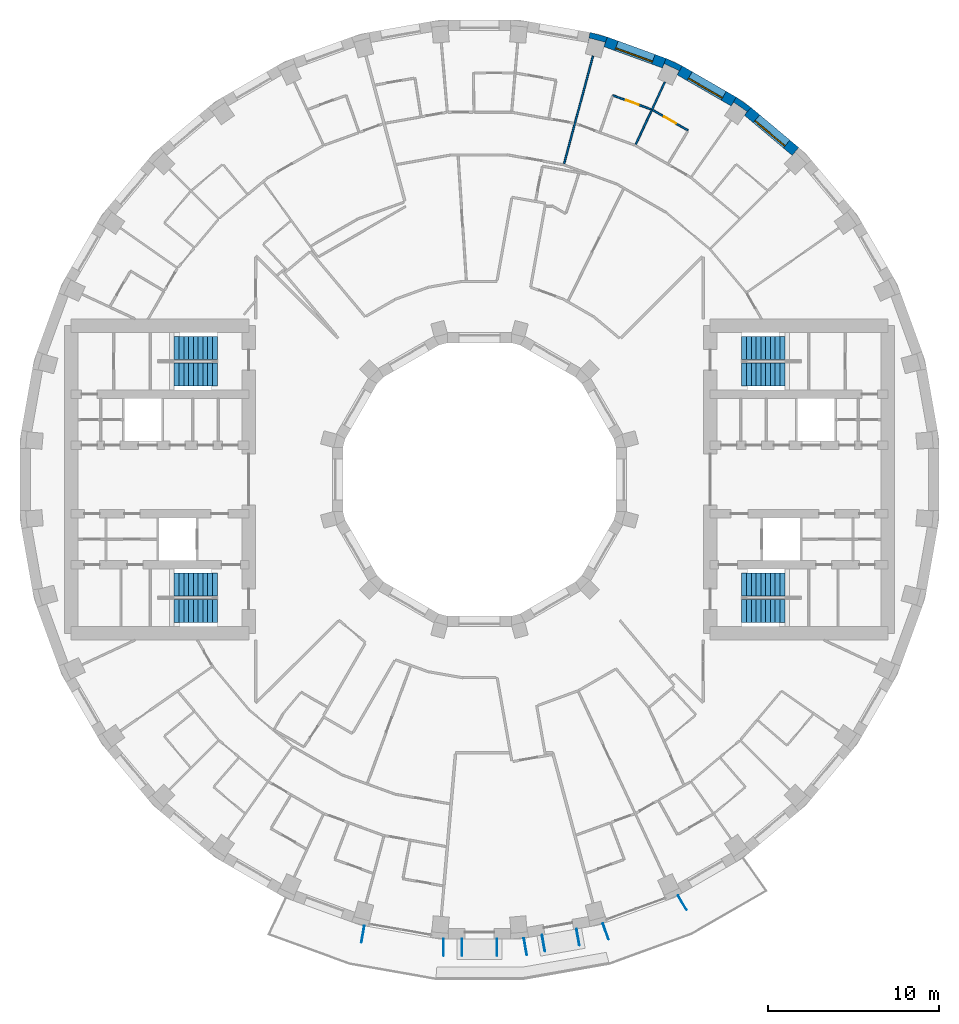
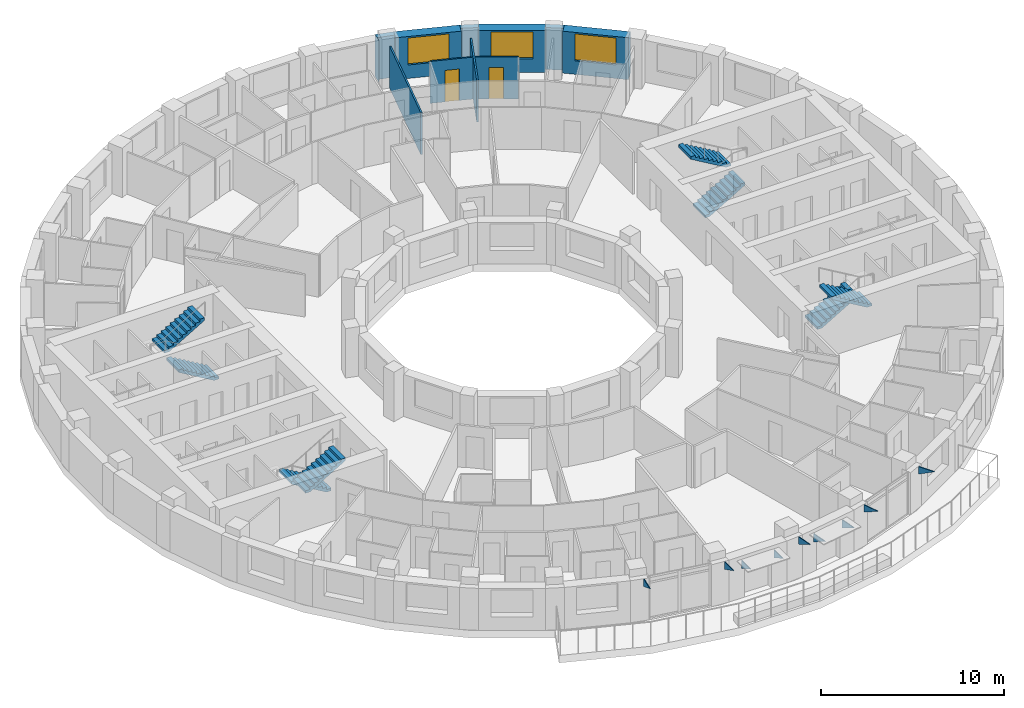
# One storey, part 15 of 16: 10 walls, 9 discrete accessories, 8 stair flights, 3 windows, 2 doors, 5 openings, 4 elements without a shape of their own.
"""IFC4 building model written with IfcOpenShell, lengths in metres."""

import ifcopenshell
import ifcopenshell.guid

model = None  # the IFC model being written
_history = None  # IfcOwnerHistory: only IFC2X3 demands one
_inside = {}  # id of a spatial element -> (the spatial element, [elements in it])
_under = {}  # id of a project, library or spatial element -> (it, [spatial elements below it])
_declared = {}  # id of a project -> (the project, [libraries it declares])
_typed = {}  # id of a type object -> (the type object, [elements of that type])
_made_of = {}  # id of a material, layer set ... -> (it, [elements and type objects made of it])


def new_model(schema):
    """Start an empty IFC model of exactly this schema.

    Asked for "IFC4X3", IfcOpenShell would pick the latest addendum, in which some entities
    have other attributes; the version numbers below select the first issue.
    IFC2X3 requires an IfcOwnerHistory on every rooted entity: one is made here for all.
    """
    global model, _history
    if schema == "IFC4X3":
        model = ifcopenshell.file(schema_version=(4, 3, 0, 0))
    else:
        model = ifcopenshell.file(schema=schema)
    _inside.clear()
    _under.clear()
    _declared.clear()
    _typed.clear()
    _made_of.clear()
    _history = None
    if model.schema == "IFC2X3":
        org = make("IfcOrganization", Name="unknown")
        user = make(
            "IfcPersonAndOrganization",
            ThePerson=make("IfcPerson", FamilyName="unknown"),
            TheOrganization=org,
        )
        app = make(
            "IfcApplication",
            ApplicationDeveloper=org,
            Version="unknown",
            ApplicationFullName="unknown",
            ApplicationIdentifier="unknown",
        )
        _history = make(
            "IfcOwnerHistory",
            OwningUser=user,
            OwningApplication=app,
            ChangeAction="ADDED",
            CreationDate=0,
        )
    return model


def make(cls, **values):
    """One entity of the class cls with the attributes given. An attribute that is None is left unset."""
    return model.create_entity(
        cls, **{name: value for name, value in values.items() if value is not None}
    )


def rooted(cls, **values):
    """An entity with a GlobalId (a new one), such as an element, a storey or a relation."""
    return make(cls, GlobalId=ifcopenshell.guid.new(), OwnerHistory=_history, **values)


def si_unit(unit_type, name, prefix=None):
    """IfcSIUnit, for example si_unit("LENGTHUNIT", "METRE", prefix="MILLI")."""
    return make("IfcSIUnit", UnitType=unit_type, Prefix=prefix, Name=name)


def assignment(units):
    """IfcUnitAssignment: the units of a project."""
    return None if units is None else make("IfcUnitAssignment", Units=units)


def point(xyz):
    """IfcCartesianPoint."""
    return None if xyz is None else make("IfcCartesianPoint", Coordinates=xyz)


def direction(xyz):
    """IfcDirection."""
    return None if xyz is None else make("IfcDirection", DirectionRatios=xyz)


def frame(location, z_axis=None, x_axis=None):
    """IfcAxis2Placement3D, a coordinate frame: its origin and axes. An axis left out is left unset."""
    return make(
        "IfcAxis2Placement3D",
        Location=point(location),
        Axis=direction(z_axis),
        RefDirection=direction(x_axis),
    )


def frame_2d(location, x_axis=None):
    """IfcAxis2Placement2D, a coordinate frame in the plane: its origin and x axis."""
    return make(
        "IfcAxis2Placement2D", Location=point(location), RefDirection=direction(x_axis)
    )


def origin():
    """The frame at (0, 0, 0) with its axes left unset."""
    return frame((0.0, 0.0, 0.0))


def place(relative_to, where):
    """IfcLocalPlacement: puts the frame where relative to a parent placement (None: the world)."""
    return make(
        "IfcLocalPlacement", PlacementRelTo=relative_to, RelativePlacement=where
    )


def context(
    kind, dimensions, precision=None, world=None, true_north=None, identifier=None
):
    """IfcGeometricRepresentationContext, for example the 3D "Model" context."""
    return make(
        "IfcGeometricRepresentationContext",
        ContextIdentifier=identifier,
        ContextType=kind,
        CoordinateSpaceDimension=dimensions,
        Precision=precision,
        WorldCoordinateSystem=world,
        TrueNorth=true_north,
    )


def subcontext(parent, identifier, kind, view, scale=None):
    """IfcGeometricRepresentationSubContext, for example "Body" below "Model"."""
    return make(
        "IfcGeometricRepresentationSubContext",
        ContextIdentifier=identifier,
        ContextType=kind,
        ParentContext=parent,
        TargetScale=scale,
        TargetView=view,
    )


def project(units=None, contexts=None):
    """IfcProject with its units and contexts."""
    return rooted(
        "IfcProject",
        Name="project",
        RepresentationContexts=contexts,
        UnitsInContext=assignment(units),
    )


def spatial(cls, under=None, at=None, **own):
    """A site, building, storey or space (cls), placed at a placement, below another one or the project."""
    s = rooted(cls, ObjectPlacement=at, **own)
    if under is not None:
        _under.setdefault(under.id(), (under, []))[1].append(s)
    return s


def polyline(points):
    """IfcPolyline through the points."""
    return make("IfcPolyline", Points=[point(p) for p in points])


def profile(cls, at=None, kind="AREA", **sizes):
    """A parametric profile (cls). Its sizes go by their IFC names, for example OverallWidth=200.0."""
    return make(cls, ProfileType=kind, Position=at, **sizes)


def rectangle(**sizes):
    """IfcRectangleProfileDef."""
    return profile("IfcRectangleProfileDef", **sizes)


def outline(outer, holes=None, kind="AREA"):
    """IfcArbitraryClosedProfileDef: a profile drawn as a closed curve; with holes, ...WithVoids."""
    if holes is None:
        return make("IfcArbitraryClosedProfileDef", ProfileType=kind, OuterCurve=outer)
    return make(
        "IfcArbitraryProfileDefWithVoids",
        ProfileType=kind,
        OuterCurve=outer,
        InnerCurves=holes,
    )


def extrude(swept, where, along, depth):
    """IfcExtrudedAreaSolid: the profile swept, set in the frame where, extruded along a direction by depth."""
    return make(
        "IfcExtrudedAreaSolid",
        SweptArea=swept,
        Position=where,
        ExtrudedDirection=direction(along),
        Depth=depth,
    )


def shape(context_of_items, identifier, shape_type, items):
    """IfcShapeRepresentation: the items that make up one representation, for example the "Body"."""
    return make(
        "IfcShapeRepresentation",
        ContextOfItems=context_of_items,
        RepresentationIdentifier=identifier,
        RepresentationType=shape_type,
        Items=items,
    )


def material(Name=None, Category=None):
    """IfcMaterial."""
    return make("IfcMaterial", Name=Name, Category=Category)


def layer(
    of_material, thickness, ventilated=None, Name=None, Category=None, Priority=None
):
    """IfcMaterialLayer: one layer of a wall or slab, of a material (None: an air gap)."""
    return make(
        "IfcMaterialLayer",
        Material=of_material,
        LayerThickness=thickness,
        IsVentilated=ventilated,
        Name=Name,
        Category=Category,
        Priority=Priority,
    )


def layer_set(layers, Name=None):
    """IfcMaterialLayerSet."""
    return make("IfcMaterialLayerSet", MaterialLayers=layers, LayerSetName=Name)


def made_of(thing, what):
    """Note that an element or type object is made of a material, layer set ...; save() writes the relation."""
    if what is not None:
        _made_of.setdefault(what.id(), (what, []))[1].append(thing)
    return thing


def type_object(cls, material=None, **own):
    """A type object (cls), such as IfcWallType, which elements share."""
    return made_of(rooted(cls, **own), material)


def element(
    cls,
    number,
    at=None,
    inside=None,
    cuts=None,
    type_object=None,
    material=None,
    context=None,
    identifier="Body",
    shape_type=None,
    held_by="IfcProductDefinitionShape",
    body=None,
    shapes=None,
    **own,
):
    """One element of the class cls, such as IfcWall. Its Tag is "e" and its number.

    at: its placement. inside: the storey or other place that contains it. cuts: it is an
    opening in that element (IfcRelVoidsElement). A single representation is given by context,
    identifier, shape_type and body (its items); several are given by shapes. held_by: the class
    of the entity that holds the representations. save() writes the other relations.
    """
    e = rooted(cls, Tag="e%d" % number, ObjectPlacement=at, **own)
    if body is not None:
        shapes = [shape(context, identifier, shape_type, body)]
    if shapes is not None:
        e.Representation = make(held_by, Representations=shapes)
    if inside is not None:
        _inside.setdefault(inside.id(), (inside, []))[1].append(e)
    if cuts is not None:
        rooted(
            "IfcRelVoidsElement", RelatingBuildingElement=cuts, RelatedOpeningElement=e
        )
    if type_object is not None:
        _typed.setdefault(type_object.id(), (type_object, []))[1].append(e)
    return made_of(e, material)


def fill(opening, filler):
    """IfcRelFillsElement: the door or window that sits in an opening."""
    return rooted(
        "IfcRelFillsElement",
        RelatingOpeningElement=opening,
        RelatedBuildingElement=filler,
    )


def aggregate(whole, parts):
    """IfcRelAggregates: a whole, such as a stair, and the parts it consists of."""
    return rooted("IfcRelAggregates", RelatingObject=whole, RelatedObjects=parts)


def save(model, path):
    """Write the relations noted so far, then the file.

    IfcRelAggregates (storeys below a building ...), IfcRelContainedInSpatialStructure (elements
    in a storey), IfcRelDefinesByType, IfcRelAssociatesMaterial and IfcRelDeclares: one each for
    every whole, place, type object, material and project.
    """
    for whole, parts in _under.values():
        aggregate(whole, parts)
    for where, things in _inside.values():
        rooted(
            "IfcRelContainedInSpatialStructure",
            RelatedElements=things,
            RelatingStructure=where,
        )
    for kind, things in _typed.values():
        rooted("IfcRelDefinesByType", RelatedObjects=things, RelatingType=kind)
    for what, things in _made_of.values():
        rooted("IfcRelAssociatesMaterial", RelatedObjects=things, RelatingMaterial=what)
    for by, libraries in _declared.values():
        rooted("IfcRelDeclares", RelatingContext=by, RelatedDefinitions=libraries)
    model.write(path)


model = new_model("IFC4")

# Units and contexts
model_context = context("Model", 3, precision=1e-05, world=origin(), true_north=direction((0.0, 1.0)))
body_context = subcontext(model_context, "Body", "Model", "MODEL_VIEW")
ifc_project = project(units=[si_unit("LENGTHUNIT", "METRE"), si_unit("AREAUNIT", "SQUARE_METRE"), si_unit("VOLUMEUNIT", "CUBIC_METRE"), si_unit("PLANEANGLEUNIT", "RADIAN"), si_unit("MASSUNIT", "GRAM", prefix="KILO")], contexts=[model_context])

# Site, building, storey
site_placement = place(None, origin())
site = spatial("IfcSite", under=ifc_project, at=site_placement, CompositionType="ELEMENT")
building_placement = place(site_placement, origin())
building = spatial("IfcBuilding", under=site, at=building_placement, Name="Saqina Gate Tower", CompositionType="ELEMENT")
storey_placement = place(building_placement, frame((0.0, 0.0, 141.39990234375)))
storey = spatial("IfcBuildingStorey", under=building, at=storey_placement, Name="L40", CompositionType="ELEMENT", Elevation=141.39990234375)

# Walls
ifc_material_1 = material(Name="Brick masonry (buff)", Category="masonry")
wall_type_1 = type_object("IfcWallType", Name="BRICK PIER COPING BUFF", PredefinedType="SOLIDWALL", material=ifc_material_1)
wall_1_placement = place(storey_placement, origin())
element("IfcWall", 1, at=wall_1_placement, inside=storey, type_object=wall_type_1, Name="Pier cap L40 column 6", PredefinedType="SOLIDWALL", context=body_context, shape_type="SweptSolid", body=[
    extrude(outline(polyline([(15.0283203125, 22.3818359375), (14.728271484375, 21.862060546875), (14.88232421875, 22.08251953125), (15.66064453125, 21.53759765625), (15.50634765625, 21.317138671875), (15.89208984375, 21.77685546875), (15.0283203125, 22.3818359375)])), origin(), (0.0, 0.0, 1.0), 2.800048828125),
])
wall_2_placement = place(storey_placement, origin())
element("IfcWall", 2, at=wall_2_placement, inside=storey, type_object=wall_type_1, Name="Pier cap L40 column 7", PredefinedType="SOLIDWALL", context=body_context, shape_type="SweptSolid", body=[
    extrude(outline(polyline([(10.913330078125, 24.6513671875), (10.7080078125, 24.08740234375), (10.82177734375, 24.331298828125), (11.6826171875, 23.9296875), (11.569091796875, 23.68603515625), (11.869140625, 24.205810546875), (10.913330078125, 24.6513671875)])), origin(), (0.0, 0.0, 1.0), 2.800048828125),
])
wall_3_placement = place(storey_placement, origin())
element("IfcWall", 3, at=wall_3_placement, inside=storey, type_object=wall_type_1, Name="Pier cap L40 column 8", PredefinedType="SOLIDWALL", context=body_context, shape_type="SweptSolid", body=[
    extrude(outline(polyline([(7.485595703125, 25.89892578125), (6.466796875, 26.171875), (6.36279296875, 25.5810546875), (6.43212890625, 25.8408203125), (7.349853515625, 25.5947265625), (7.2802734375, 25.335205078125), (7.485595703125, 25.89892578125)])), origin(), (0.0, 0.0, 1.0), 2.800048828125),
])

# Wall, opening, window
ifc_material_2 = material(Name="Brick masonry (buff)", Category="masonry")
ifc_layer_1 = layer(ifc_material_2, 0.60009765625)
ifc_layer_set_1 = layer_set([ifc_layer_1], Name="FW-BRICK-BUFF")
wall_type_2 = type_object("IfcWallType", Name="FW-BRICK-BUFF", PredefinedType="SOLIDWALL", material=ifc_layer_set_1)
wall_4_placement = place(storey_placement, frame((18.49365234375, 19.202392578125, 0.0), z_axis=(0.0, 0.0, 1.0), x_axis=(-0.766055462616, 0.642774476932, 0.0)))
wall_4 = element("IfcWall", 4, at=wall_4_placement, inside=storey, type_object=wall_type_2, Name="Facade wall L40 facet 5", PredefinedType="SOLIDWALL", context=body_context, shape_type="SweptSolid", body=[
    extrude(rectangle(XDim=3.647705078125, YDim=0.60009765625, at=frame_2d((1.82373046875, 0.0))), origin(), (0.0, 0.0, 1.0), 2.800048828125),
])
opening_1_placement = place(wall_4_placement, frame((0.673828125, 0.0, 0.89990234375)))
opening_1 = element("IfcOpeningElement", 5, at=opening_1_placement, cuts=wall_4, Name="Opening G12-W03", PredefinedType="OPENING", context=body_context, shape_type="SweptSolid", body=[
    extrude(rectangle(XDim=2.300048828125, YDim=1.800048828125, at=frame_2d((1.14990234375, 0.89990234375))), frame((0.0, 0.31201171875, 0.0), z_axis=(0.0, -1.0, 0.0), x_axis=(1.0, 0.0, 0.0)), (0.0, 0.0, 1.0), 0.6240234375),
])
ifc_material_3 = material(Name="Aluminium glazing", Category="aluminium")
window_type = type_object("IfcWindowType", Name="WN-B", PartitioningType="SINGLE_PANEL", PredefinedType="WINDOW", material=ifc_material_3)
window_1_placement = place(opening_1_placement, origin())
window_1 = element("IfcWindow", 6, at=window_1_placement, inside=storey, type_object=window_type, Name="Window L40 facet 5", OverallHeight=1.800048828125, OverallWidth=2.300048828125, PartitioningType="SINGLE_PANEL", PredefinedType="WINDOW", context=body_context, shape_type="SweptSolid", body=[
    extrude(rectangle(XDim=2.300048828125, YDim=1.800048828125, at=frame_2d((1.14990234375, 0.89990234375))), frame((0.0, 0.179931640625, 0.0), z_axis=(0.0, -1.0, 0.0), x_axis=(1.0, 0.0, 0.0)), (0.0, 0.0, 1.0), 0.06005859375),
])
fill(opening_1, window_1)

wall_5_placement = place(storey_placement, frame((14.878173828125, 22.1220703125, 0.0), z_axis=(0.0, 0.0, 1.0), x_axis=(-0.866051847062, 0.499954196102, 0.0)))
wall_5 = element("IfcWall", 7, at=wall_5_placement, inside=storey, type_object=wall_type_2, Name="Facade wall L40 facet 6", PredefinedType="SOLIDWALL", context=body_context, shape_type="SweptSolid", body=[
    extrude(rectangle(XDim=3.647705078125, YDim=0.60009765625, at=frame_2d((1.82373046875, 0.0))), origin(), (0.0, 0.0, 1.0), 2.800048828125),
])
opening_2_placement = place(wall_5_placement, frame((0.673828125, 0.0, 0.89990234375)))
opening_2 = element("IfcOpeningElement", 8, at=opening_2_placement, cuts=wall_5, Name="Opening G12-W04", PredefinedType="OPENING", context=body_context, shape_type="SweptSolid", body=[
    extrude(rectangle(XDim=2.300048828125, YDim=1.800048828125, at=frame_2d((1.14990234375, 0.89990234375))), frame((0.0, 0.31201171875, 0.0), z_axis=(0.0, -1.0, 0.0), x_axis=(1.0, 0.0, 0.0)), (0.0, 0.0, 1.0), 0.6240234375),
])
window_2_placement = place(opening_2_placement, origin())
window_2 = element("IfcWindow", 9, at=window_2_placement, inside=storey, type_object=window_type, Name="Window L40 facet 6", OverallHeight=1.800048828125, OverallWidth=2.300048828125, PartitioningType="SINGLE_PANEL", PredefinedType="WINDOW", context=body_context, shape_type="SweptSolid", body=[
    extrude(rectangle(XDim=2.300048828125, YDim=1.800048828125, at=frame_2d((1.14990234375, 0.89990234375))), frame((0.0, 0.179931640625, 0.0), z_axis=(0.0, -1.0, 0.0), x_axis=(1.0, 0.0, 0.0)), (0.0, 0.0, 1.0), 0.06005859375),
])
fill(opening_2, window_2)

wall_6_placement = place(storey_placement, frame((10.810791015625, 24.369384765625, 0.0), z_axis=(0.0, 0.0, 1.0), x_axis=(-0.939703505393, 0.341990236633, 0.0)))
wall_6 = element("IfcWall", 10, at=wall_6_placement, inside=storey, type_object=wall_type_2, Name="Facade wall L40 facet 7", PredefinedType="SOLIDWALL", context=body_context, shape_type="SweptSolid", body=[
    extrude(rectangle(XDim=3.64794921875, YDim=0.60009765625, at=frame_2d((1.823974609375, 0.0))), origin(), (0.0, 0.0, 1.0), 2.800048828125),
])
opening_3_placement = place(wall_6_placement, frame((0.673828125, 0.0, 0.89990234375)))
opening_3 = element("IfcOpeningElement", 11, at=opening_3_placement, cuts=wall_6, Name="Opening G12-W05", PredefinedType="OPENING", context=body_context, shape_type="SweptSolid", body=[
    extrude(rectangle(XDim=2.300048828125, YDim=1.800048828125, at=frame_2d((1.14990234375, 0.89990234375))), frame((0.0, 0.31201171875, 0.0), z_axis=(0.0, -1.0, 0.0), x_axis=(1.0, 0.0, 0.0)), (0.0, 0.0, 1.0), 0.6240234375),
])
window_3_placement = place(opening_3_placement, origin())
window_3 = element("IfcWindow", 12, at=window_3_placement, inside=storey, type_object=window_type, Name="Window L40 facet 7", OverallHeight=1.800048828125, OverallWidth=2.300048828125, PartitioningType="SINGLE_PANEL", PredefinedType="WINDOW", context=body_context, shape_type="SweptSolid", body=[
    extrude(rectangle(XDim=2.300048828125, YDim=1.800048828125, at=frame_2d((1.14990234375, 0.89990234375))), frame((0.0, 0.179931640625, 0.0), z_axis=(0.0, -1.0, 0.0), x_axis=(1.0, 0.0, 0.0)), (0.0, 0.0, 1.0), 0.06005859375),
])
fill(opening_3, window_3)

# Wall, opening, door
ifc_material_4 = material(Name="Gypsum board on steel studs, 100 mm", Category="steel")
ifc_layer_2 = layer(ifc_material_4, 0.10009765625)
ifc_layer_set_2 = layer_set([ifc_layer_2], Name="PARTITION 100")
wall_type_3 = type_object("IfcWallType", Name="PARTITION 100", PredefinedType="PARTITIONING", material=ifc_layer_set_2)
wall_7_placement = place(storey_placement, frame((10.139404296875, 21.625, 0.0), z_axis=(0.0, 0.0, 1.0), x_axis=(0.865989934965, -0.500061428766, 0.0)))
wall_7 = element("IfcWall", 13, at=wall_7_placement, inside=storey, type_object=wall_type_3, Name="PARTITION PW3-44", PredefinedType="PARTITIONING", context=body_context, shape_type="SweptSolid", body=[
    extrude(rectangle(XDim=2.389892578125, YDim=0.10009765625, at=frame_2d((1.19482421875, 0.0))), origin(), (0.0, 0.0, 1.0), 2.800048828125),
])
opening_4_placement = place(wall_7_placement, frame((0.77001953125, 0.0, 0.0)))
opening_4 = element("IfcOpeningElement", 14, at=opening_4_placement, cuts=wall_7, Name="Opening G12-D07", PredefinedType="OPENING", context=body_context, shape_type="SweptSolid", body=[
    extrude(rectangle(XDim=0.800048828125, YDim=2.10009765625, at=frame_2d((0.39990234375, 1.050048828125))), frame((0.0, 0.06201171875, 0.0), z_axis=(0.0, -1.0, 0.0), x_axis=(1.0, 0.0, 0.0)), (0.0, 0.0, 1.0), 0.1240234375),
])
ifc_material_5 = material(Name="Timber door leaf, 800 mm", Category="wood")
door_type = type_object("IfcDoorType", Name="DOOR 800 TIMBER", OperationType="SINGLE_SWING_LEFT", PredefinedType="DOOR", material=ifc_material_5)
door_1_placement = place(opening_4_placement, origin())
door_1 = element("IfcDoor", 15, at=door_1_placement, inside=storey, type_object=door_type, Name="DOOR G12-D07", OperationType="SINGLE_SWING_LEFT", OverallHeight=2.10009765625, OverallWidth=0.800048828125, PredefinedType="DOOR", context=body_context, shape_type="SweptSolid", body=[
    extrude(rectangle(XDim=0.800048828125, YDim=2.10009765625, at=frame_2d((0.39990234375, 1.050048828125))), frame((0.0, 0.02490234375, 0.0), z_axis=(0.0, -1.0, 0.0), x_axis=(1.0, 0.0, 0.0)), (0.0, 0.0, 1.0), 0.050048828125),
])
fill(opening_4, door_1)

wall_8_placement = place(storey_placement, frame((7.802001953125, 22.485107421875, 0.0), z_axis=(0.0, 0.0, 1.0), x_axis=(0.939659214987, -0.342111911063, 0.0)))
wall_8 = element("IfcWall", 16, at=wall_8_placement, inside=storey, type_object=wall_type_3, Name="PARTITION PW3-52", PredefinedType="PARTITIONING", context=body_context, shape_type="SweptSolid", body=[
    extrude(rectangle(XDim=2.391357421875, YDim=0.10009765625, at=frame_2d((1.19580078125, 0.0))), origin(), (0.0, 0.0, 1.0), 2.800048828125),
])
opening_5_placement = place(wall_8_placement, frame((0.820556640625, 0.0, 0.0)))
opening_5 = element("IfcOpeningElement", 17, at=opening_5_placement, cuts=wall_8, Name="Opening G12-D09", PredefinedType="OPENING", context=body_context, shape_type="SweptSolid", body=[
    extrude(rectangle(XDim=0.800048828125, YDim=2.10009765625, at=frame_2d((0.39990234375, 1.050048828125))), frame((0.0, 0.06201171875, 0.0), z_axis=(0.0, -1.0, 0.0), x_axis=(1.0, 0.0, 0.0)), (0.0, 0.0, 1.0), 0.1240234375),
])
door_2_placement = place(opening_5_placement, origin())
door_2 = element("IfcDoor", 18, at=door_2_placement, inside=storey, type_object=door_type, Name="DOOR G12-D09", OperationType="SINGLE_SWING_RIGHT", OverallHeight=2.10009765625, OverallWidth=0.800048828125, PredefinedType="DOOR", context=body_context, shape_type="SweptSolid", body=[
    extrude(rectangle(XDim=0.800048828125, YDim=2.10009765625, at=frame_2d((0.39990234375, 1.050048828125))), frame((0.0, 0.02490234375, 0.0), z_axis=(0.0, -1.0, 0.0), x_axis=(1.0, 0.0, 0.0)), (0.0, 0.0, 1.0), 0.050048828125),
])
fill(opening_5, door_2)

# Walls
wall_9_placement = place(storey_placement, frame((9.14111328125, 19.603271484375, 0.0), z_axis=(0.0, 0.0, 1.0), x_axis=(0.42279934512, 0.906223324444, 0.0)))
element("IfcWall", 19, at=wall_9_placement, inside=storey, type_object=wall_type_3, Name="PARTITION PW3-107", PredefinedType="PARTITIONING", context=body_context, shape_type="SweptSolid", body=[
    extrude(rectangle(XDim=4.03515625, YDim=0.10009765625, at=frame_2d((2.017578125, 0.0))), origin(), (0.0, 0.0, 1.0), 2.800048828125),
])
wall_10_placement = place(storey_placement, frame((4.94873046875, 18.46923828125, 0.0), z_axis=(0.0, 0.0, 1.0), x_axis=(0.258793270627, 0.96593273217, 0.0)))
element("IfcWall", 20, at=wall_10_placement, inside=storey, type_object=wall_type_3, Name="PARTITION PW3-113", PredefinedType="PARTITIONING", context=body_context, shape_type="SweptSolid", body=[
    extrude(rectangle(XDim=6.544189453125, YDim=0.10009765625, at=frame_2d((3.27197265625, 0.0))), origin(), (0.0, 0.0, 1.0), 2.800048828125),
])

# Stair, stair flights
ifc_material_6 = material(Name="Concrete C40/50", Category="concrete")
stair_type = type_object("IfcStairType", Name="EXIT STAIR", PredefinedType="HALF_TURN_STAIR", material=ifc_material_6)
stair_1_placement = place(storey_placement, origin())
stair_1 = element("IfcStair", 21, at=stair_1_placement, inside=storey, type_object=stair_type, Name="EXIT STAIR 1", PredefinedType="HALF_TURN_STAIR")
ifc_material_7 = material(Name="Concrete C40/50", Category="concrete")
stair_flight_type = type_object("IfcStairFlightType", Name="EXIT STAIR FLIGHT", PredefinedType="STRAIGHT", material=ifc_material_7)
stair_flight_1_placement = place(storey_placement, frame((15.35009765625, 6.1416015625, 0.0), z_axis=(0.0, 0.0, 1.0), x_axis=(1.0, 0.0, 0.0)))
stair_flight_1 = element("IfcStairFlight", 22, at=stair_flight_1_placement, type_object=stair_flight_type, Name="EXIT STAIR 1 FLIGHT 1", NumberOfRisers=10, NumberOfTreads=9, PredefinedType="STRAIGHT", RiserHeight=0.165, TreadLength=0.28, context=body_context, shape_type="SweptSolid", body=[
    extrude(outline(polyline([(0.0, 0.0), (0.0, 0.1650390625), (0.280029296875, 0.1650390625), (0.280029296875, 0.330078125), (0.56005859375, 0.330078125), (0.56005859375, 0.4951171875), (0.840087890625, 0.4951171875), (0.840087890625, 0.659912109375), (1.1201171875, 0.659912109375), (1.1201171875, 0.824951171875), (1.39990234375, 0.824951171875), (1.39990234375, 0.989990234375), (1.679931640625, 0.989990234375), (1.679931640625, 1.155029296875), (1.9599609375, 1.155029296875), (1.9599609375, 1.320068359375), (2.239990234375, 1.320068359375), (2.239990234375, 1.485107421875), (2.52001953125, 1.485107421875), (2.52001953125, 1.64990234375), (2.52001953125, 1.31103515625), (0.295166015625, 0.0), (0.0, 0.0)])), frame((0.0, 0.675048828125, 0.0), z_axis=(0.0, -1.0, 0.0), x_axis=(1.0, 0.0, 0.0)), (0.0, 0.0, 1.0), 1.35009765625),
])
stair_flight_2_placement = place(storey_placement, frame((17.8701171875, 7.708251953125, 1.650146484375), z_axis=(0.0, 0.0, 1.0), x_axis=(-1.0, 0.0, 0.0)))
stair_flight_2 = element("IfcStairFlight", 23, at=stair_flight_2_placement, type_object=stair_flight_type, Name="EXIT STAIR 1 FLIGHT 2", NumberOfRisers=10, NumberOfTreads=9, PredefinedType="STRAIGHT", RiserHeight=0.165, TreadLength=0.28, context=body_context, shape_type="SweptSolid", body=[
    extrude(outline(polyline([(0.0, 0.0), (0.0, 0.1650390625), (0.280029296875, 0.1650390625), (0.280029296875, 0.330078125), (0.56005859375, 0.330078125), (0.56005859375, 0.4951171875), (0.840087890625, 0.4951171875), (0.840087890625, 0.659912109375), (1.1201171875, 0.659912109375), (1.1201171875, 0.824951171875), (1.39990234375, 0.824951171875), (1.39990234375, 0.989990234375), (1.679931640625, 0.989990234375), (1.679931640625, 1.155029296875), (1.9599609375, 1.155029296875), (1.9599609375, 1.320068359375), (2.239990234375, 1.320068359375), (2.239990234375, 1.485107421875), (2.52001953125, 1.485107421875), (2.52001953125, 1.64990234375), (2.52001953125, 1.31103515625), (0.295166015625, 0.0), (0.0, 0.0)])), frame((0.0, 0.675048828125, 0.0), z_axis=(0.0, -1.0, 0.0), x_axis=(1.0, 0.0, 0.0)), (0.0, 0.0, 1.0), 1.35009765625),
])
aggregate(stair_1, [stair_flight_1, stair_flight_2])

stair_2_placement = place(storey_placement, origin())
stair_2 = element("IfcStair", 24, at=stair_2_placement, inside=storey, type_object=stair_type, Name="EXIT STAIR 2", PredefinedType="HALF_TURN_STAIR")
stair_flight_3_placement = place(storey_placement, frame((15.35009765625, -6.1416015625, 0.0), z_axis=(0.0, 0.0, 1.0), x_axis=(1.0, 0.0, 0.0)))
stair_flight_3 = element("IfcStairFlight", 25, at=stair_flight_3_placement, type_object=stair_flight_type, Name="EXIT STAIR 2 FLIGHT 1", NumberOfRisers=10, NumberOfTreads=9, PredefinedType="STRAIGHT", RiserHeight=0.165, TreadLength=0.28, context=body_context, shape_type="SweptSolid", body=[
    extrude(outline(polyline([(0.0, 0.0), (0.0, 0.1650390625), (0.280029296875, 0.1650390625), (0.280029296875, 0.330078125), (0.56005859375, 0.330078125), (0.56005859375, 0.4951171875), (0.840087890625, 0.4951171875), (0.840087890625, 0.659912109375), (1.1201171875, 0.659912109375), (1.1201171875, 0.824951171875), (1.39990234375, 0.824951171875), (1.39990234375, 0.989990234375), (1.679931640625, 0.989990234375), (1.679931640625, 1.155029296875), (1.9599609375, 1.155029296875), (1.9599609375, 1.320068359375), (2.239990234375, 1.320068359375), (2.239990234375, 1.485107421875), (2.52001953125, 1.485107421875), (2.52001953125, 1.64990234375), (2.52001953125, 1.31103515625), (0.295166015625, 0.0), (0.0, 0.0)])), frame((0.0, 0.675048828125, 0.0), z_axis=(0.0, -1.0, 0.0), x_axis=(1.0, 0.0, 0.0)), (0.0, 0.0, 1.0), 1.35009765625),
])
stair_flight_4_placement = place(storey_placement, frame((17.8701171875, -7.708251953125, 1.650146484375), z_axis=(0.0, 0.0, 1.0), x_axis=(-1.0, 0.0, 0.0)))
stair_flight_4 = element("IfcStairFlight", 26, at=stair_flight_4_placement, type_object=stair_flight_type, Name="EXIT STAIR 2 FLIGHT 2", NumberOfRisers=10, NumberOfTreads=9, PredefinedType="STRAIGHT", RiserHeight=0.165, TreadLength=0.28, context=body_context, shape_type="SweptSolid", body=[
    extrude(outline(polyline([(0.0, 0.0), (0.0, 0.1650390625), (0.280029296875, 0.1650390625), (0.280029296875, 0.330078125), (0.56005859375, 0.330078125), (0.56005859375, 0.4951171875), (0.840087890625, 0.4951171875), (0.840087890625, 0.659912109375), (1.1201171875, 0.659912109375), (1.1201171875, 0.824951171875), (1.39990234375, 0.824951171875), (1.39990234375, 0.989990234375), (1.679931640625, 0.989990234375), (1.679931640625, 1.155029296875), (1.9599609375, 1.155029296875), (1.9599609375, 1.320068359375), (2.239990234375, 1.320068359375), (2.239990234375, 1.485107421875), (2.52001953125, 1.485107421875), (2.52001953125, 1.64990234375), (2.52001953125, 1.31103515625), (0.295166015625, 0.0), (0.0, 0.0)])), frame((0.0, 0.675048828125, 0.0), z_axis=(0.0, -1.0, 0.0), x_axis=(1.0, 0.0, 0.0)), (0.0, 0.0, 1.0), 1.35009765625),
])
aggregate(stair_2, [stair_flight_3, stair_flight_4])

stair_3_placement = place(storey_placement, origin())
stair_3 = element("IfcStair", 27, at=stair_3_placement, inside=storey, type_object=stair_type, Name="EXIT STAIR 3", PredefinedType="HALF_TURN_STAIR")
stair_flight_5_placement = place(storey_placement, frame((-15.35009765625, 6.1416015625, 0.0), z_axis=(0.0, 0.0, 1.0), x_axis=(-1.0, 0.0, 0.0)))
stair_flight_5 = element("IfcStairFlight", 28, at=stair_flight_5_placement, type_object=stair_flight_type, Name="EXIT STAIR 3 FLIGHT 1", NumberOfRisers=10, NumberOfTreads=9, PredefinedType="STRAIGHT", RiserHeight=0.165, TreadLength=0.28, context=body_context, shape_type="SweptSolid", body=[
    extrude(outline(polyline([(0.0, 0.0), (0.0, 0.1650390625), (0.280029296875, 0.1650390625), (0.280029296875, 0.330078125), (0.56005859375, 0.330078125), (0.56005859375, 0.4951171875), (0.840087890625, 0.4951171875), (0.840087890625, 0.659912109375), (1.1201171875, 0.659912109375), (1.1201171875, 0.824951171875), (1.39990234375, 0.824951171875), (1.39990234375, 0.989990234375), (1.679931640625, 0.989990234375), (1.679931640625, 1.155029296875), (1.9599609375, 1.155029296875), (1.9599609375, 1.320068359375), (2.239990234375, 1.320068359375), (2.239990234375, 1.485107421875), (2.52001953125, 1.485107421875), (2.52001953125, 1.64990234375), (2.52001953125, 1.31103515625), (0.295166015625, 0.0), (0.0, 0.0)])), frame((0.0, 0.675048828125, 0.0), z_axis=(0.0, -1.0, 0.0), x_axis=(1.0, 0.0, 0.0)), (0.0, 0.0, 1.0), 1.35009765625),
])
stair_flight_6_placement = place(storey_placement, frame((-17.8701171875, 7.708251953125, 1.650146484375), z_axis=(0.0, 0.0, 1.0), x_axis=(1.0, 0.0, 0.0)))
stair_flight_6 = element("IfcStairFlight", 29, at=stair_flight_6_placement, type_object=stair_flight_type, Name="EXIT STAIR 3 FLIGHT 2", NumberOfRisers=10, NumberOfTreads=9, PredefinedType="STRAIGHT", RiserHeight=0.165, TreadLength=0.28, context=body_context, shape_type="SweptSolid", body=[
    extrude(outline(polyline([(0.0, 0.0), (0.0, 0.1650390625), (0.280029296875, 0.1650390625), (0.280029296875, 0.330078125), (0.56005859375, 0.330078125), (0.56005859375, 0.4951171875), (0.840087890625, 0.4951171875), (0.840087890625, 0.659912109375), (1.1201171875, 0.659912109375), (1.1201171875, 0.824951171875), (1.39990234375, 0.824951171875), (1.39990234375, 0.989990234375), (1.679931640625, 0.989990234375), (1.679931640625, 1.155029296875), (1.9599609375, 1.155029296875), (1.9599609375, 1.320068359375), (2.239990234375, 1.320068359375), (2.239990234375, 1.485107421875), (2.52001953125, 1.485107421875), (2.52001953125, 1.64990234375), (2.52001953125, 1.31103515625), (0.295166015625, 0.0), (0.0, 0.0)])), frame((0.0, 0.675048828125, 0.0), z_axis=(0.0, -1.0, 0.0), x_axis=(1.0, 0.0, 0.0)), (0.0, 0.0, 1.0), 1.35009765625),
])
aggregate(stair_3, [stair_flight_5, stair_flight_6])

stair_4_placement = place(storey_placement, origin())
stair_4 = element("IfcStair", 30, at=stair_4_placement, inside=storey, type_object=stair_type, Name="EXIT STAIR 4", PredefinedType="HALF_TURN_STAIR")
stair_flight_7_placement = place(storey_placement, frame((-15.35009765625, -6.1416015625, 0.0), z_axis=(0.0, 0.0, 1.0), x_axis=(-1.0, 0.0, 0.0)))
stair_flight_7 = element("IfcStairFlight", 31, at=stair_flight_7_placement, type_object=stair_flight_type, Name="EXIT STAIR 4 FLIGHT 1", NumberOfRisers=10, NumberOfTreads=9, PredefinedType="STRAIGHT", RiserHeight=0.165, TreadLength=0.28, context=body_context, shape_type="SweptSolid", body=[
    extrude(outline(polyline([(0.0, 0.0), (0.0, 0.1650390625), (0.280029296875, 0.1650390625), (0.280029296875, 0.330078125), (0.56005859375, 0.330078125), (0.56005859375, 0.4951171875), (0.840087890625, 0.4951171875), (0.840087890625, 0.659912109375), (1.1201171875, 0.659912109375), (1.1201171875, 0.824951171875), (1.39990234375, 0.824951171875), (1.39990234375, 0.989990234375), (1.679931640625, 0.989990234375), (1.679931640625, 1.155029296875), (1.9599609375, 1.155029296875), (1.9599609375, 1.320068359375), (2.239990234375, 1.320068359375), (2.239990234375, 1.485107421875), (2.52001953125, 1.485107421875), (2.52001953125, 1.64990234375), (2.52001953125, 1.31103515625), (0.295166015625, 0.0), (0.0, 0.0)])), frame((0.0, 0.675048828125, 0.0), z_axis=(0.0, -1.0, 0.0), x_axis=(1.0, 0.0, 0.0)), (0.0, 0.0, 1.0), 1.35009765625),
])
stair_flight_8_placement = place(storey_placement, frame((-17.8701171875, -7.708251953125, 1.650146484375), z_axis=(0.0, 0.0, 1.0), x_axis=(1.0, 0.0, 0.0)))
stair_flight_8 = element("IfcStairFlight", 32, at=stair_flight_8_placement, type_object=stair_flight_type, Name="EXIT STAIR 4 FLIGHT 2", NumberOfRisers=10, NumberOfTreads=9, PredefinedType="STRAIGHT", RiserHeight=0.165, TreadLength=0.28, context=body_context, shape_type="SweptSolid", body=[
    extrude(outline(polyline([(0.0, 0.0), (0.0, 0.1650390625), (0.280029296875, 0.1650390625), (0.280029296875, 0.330078125), (0.56005859375, 0.330078125), (0.56005859375, 0.4951171875), (0.840087890625, 0.4951171875), (0.840087890625, 0.659912109375), (1.1201171875, 0.659912109375), (1.1201171875, 0.824951171875), (1.39990234375, 0.824951171875), (1.39990234375, 0.989990234375), (1.679931640625, 0.989990234375), (1.679931640625, 1.155029296875), (1.9599609375, 1.155029296875), (1.9599609375, 1.320068359375), (2.239990234375, 1.320068359375), (2.239990234375, 1.485107421875), (2.52001953125, 1.485107421875), (2.52001953125, 1.64990234375), (2.52001953125, 1.31103515625), (0.295166015625, 0.0), (0.0, 0.0)])), frame((0.0, 0.675048828125, 0.0), z_axis=(0.0, -1.0, 0.0), x_axis=(1.0, 0.0, 0.0)), (0.0, 0.0, 1.0), 1.35009765625),
])
aggregate(stair_4, [stair_flight_7, stair_flight_8])

# Discrete accessories
ifc_material_8 = material(Name="Galvanised steel", Category="steel")
ifc_layer_3 = layer(ifc_material_8, 0.050048828125)
ifc_layer_set_3 = layer_set([ifc_layer_3], Name="BR-AWNING")
discrete_accessory_type_1 = type_object("IfcDiscreteAccessoryType", Name="BR-AWNING", PredefinedType="BRACKET", material=ifc_layer_set_3)
for number, where, z_axis, x_axis, name in (
    (33, (-0.998779296875, -26.897216796875, 1.97509765625), (1.0, 0.0, 0.0), (0.0, 0.0, 1.0), "Awning bracket L40 facet 27"),
    (34, (1.048828125, -26.897216796875, 1.97509765625), (1.0, 0.0, 0.0), (0.0, 0.0, 1.0), "Awning bracket L40 facet 27"),
):
    element("IfcDiscreteAccessory", number, at=place(storey_placement, frame(where, z_axis=z_axis, x_axis=x_axis)), inside=storey, type_object=discrete_accessory_type_1, Name=name, PredefinedType="BRACKET", context=body_context, shape_type="SweptSolid", body=[
        extrude(outline(polyline([(0.0, 0.0), (0.550048828125, 0.0), (0.550048828125, 1.0), (0.0, 0.0)])), origin(), (0.0, 0.0, -1.0), 0.050048828125),
    ])
for number, where, z_axis, x_axis, name in (
    (35, (3.68701171875, -26.662109375, 1.97509765625), (0.984820401928, 0.173576426815, 0.0), (0.0, 0.0, 1.0), "Awning bracket L40 facet 28"),
    (36, (5.70361328125, -26.306396484375, 1.97509765625), (0.984820401928, 0.173576426815, 0.0), (0.0, 0.0, 1.0), "Awning bracket L40 facet 28"),
):
    element("IfcDiscreteAccessory", number, at=place(storey_placement, frame(where, z_axis=z_axis, x_axis=x_axis)), inside=storey, type_object=discrete_accessory_type_1, Name=name, PredefinedType="BRACKET", context=body_context, shape_type="SweptSolid", body=[
        extrude(outline(polyline([(0.0, 0.0), (0.550048828125, 0.0), (0.550048828125, 1.000043540245132), (0.0, 0.0)])), origin(), (0.0, 0.0, -1.0), 0.050048828125),
    ])
ifc_material_9 = material(Name="Galvanised steel", Category="steel")
ifc_layer_4 = layer(ifc_material_9, 0.050048828125)
ifc_layer_set_4 = layer_set([ifc_layer_4], Name="BR-GUSSET")
discrete_accessory_type_2 = type_object("IfcDiscreteAccessoryType", Name="BR-GUSSET", PredefinedType="BRACKET", material=ifc_layer_set_4)
discrete_accessory_1_placement = place(storey_placement, frame((-6.71728515625, -26.127685546875, 2.300048828125), z_axis=(0.984820401928, -0.173576426815, 0.0), x_axis=(0.0, 0.0, 1.0)))
element("IfcDiscreteAccessory", 37, at=discrete_accessory_1_placement, inside=storey, type_object=discrete_accessory_type_2, Name="Terrace slab bracket L41 1", PredefinedType="BRACKET", context=body_context, shape_type="SweptSolid", body=[
    extrude(outline(polyline([(0.0, 0.0), (0.5, 0.0), (0.5, 1.000043540245132), (0.0, 0.0)])), origin(), (0.0, 0.0, -1.0), 0.050048828125),
])
discrete_accessory_2_placement = place(storey_placement, frame((-2.078125, -26.897216796875, 2.300048828125), z_axis=(1.0, 0.0, 0.0), x_axis=(0.0, 0.0, 1.0)))
element("IfcDiscreteAccessory", 38, at=discrete_accessory_2_placement, inside=storey, type_object=discrete_accessory_type_2, Name="Terrace slab bracket L41 2", PredefinedType="BRACKET", context=body_context, shape_type="SweptSolid", body=[
    extrude(outline(polyline([(0.0, 0.0), (0.5, 0.0), (0.5, 1.0), (0.0, 0.0)])), origin(), (0.0, 0.0, -1.0), 0.050048828125),
])
discrete_accessory_3_placement = place(storey_placement, frame((2.6240234375, -26.849609375, 2.300048828125), z_axis=(0.984813043937, 0.173618168668, 0.0), x_axis=(0.0, 0.0, 1.0)))
element("IfcDiscreteAccessory", 39, at=discrete_accessory_3_placement, inside=storey, type_object=discrete_accessory_type_2, Name="Terrace slab bracket L41 3", PredefinedType="BRACKET", context=body_context, shape_type="SweptSolid", body=[
    extrude(outline(polyline([(0.0, 0.0), (0.5, 0.0), (0.5, 0.9998031064747768), (0.0, 0.0)])), origin(), (0.0, 0.0, -1.0), 0.050048828125),
])
discrete_accessory_4_placement = place(storey_placement, frame((7.24658203125, -25.98583984375, 2.300048828125), z_axis=(0.939764905391, 0.341821477669, 0.0), x_axis=(0.0, 0.0, 1.0)))
element("IfcDiscreteAccessory", 40, at=discrete_accessory_4_placement, inside=storey, type_object=discrete_accessory_type_2, Name="Terrace slab bracket L41 4", PredefinedType="BRACKET", context=body_context, shape_type="SweptSolid", body=[
    extrude(outline(polyline([(0.0, 0.0), (0.5, 0.0), (0.5, 0.999928024801219), (0.0, 0.0)])), origin(), (0.0, 0.0, -1.0), 0.050048828125),
])
discrete_accessory_5_placement = place(storey_placement, frame((11.648681640625, -24.332763671875, 2.300048828125), z_axis=(0.866010750942, 0.50002537861, 0.0), x_axis=(0.0, 0.0, 1.0)))
element("IfcDiscreteAccessory", 41, at=discrete_accessory_5_placement, inside=storey, type_object=discrete_accessory_type_2, Name="Terrace slab bracket L41 5", PredefinedType="BRACKET", context=body_context, shape_type="SweptSolid", body=[
    extrude(outline(polyline([(0.0, 0.0), (0.5, 0.0), (0.5, 0.9999492453569568), (0.0, 0.0)])), origin(), (0.0, 0.0, -1.0), 0.050048828125),
])

save(model, "model.ifc")
